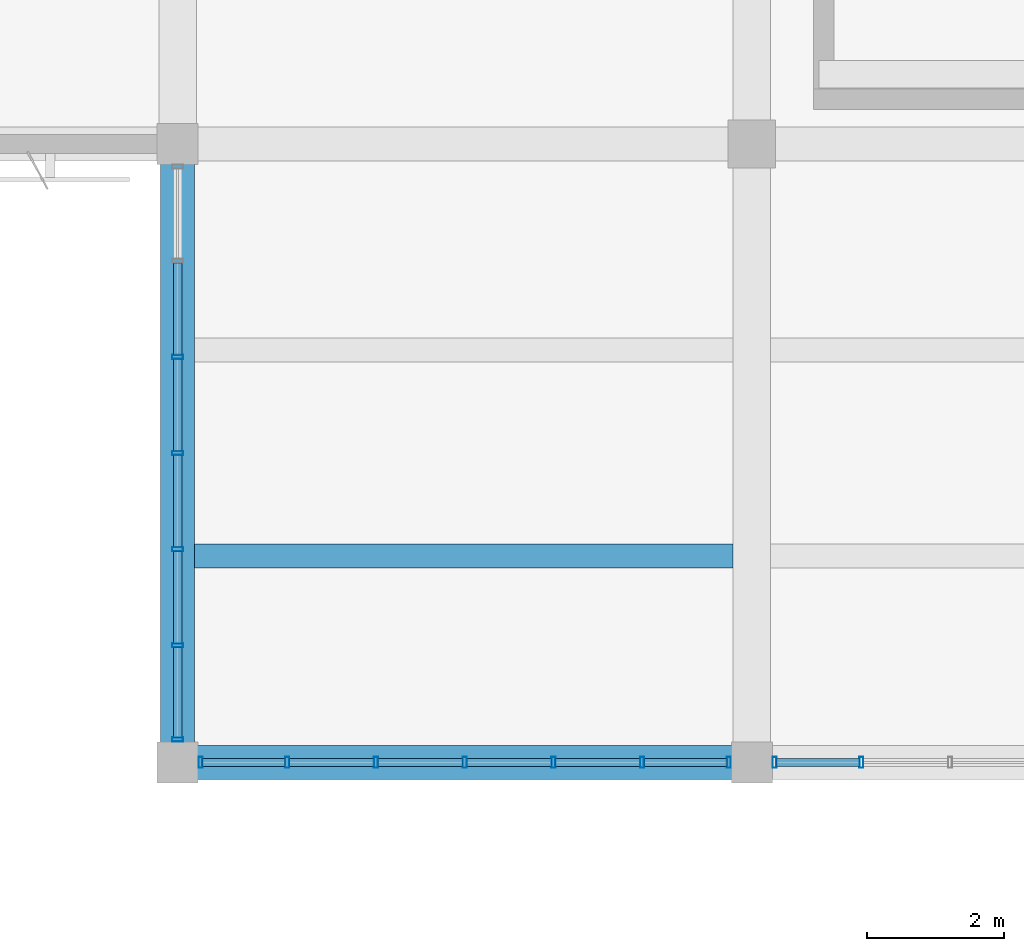
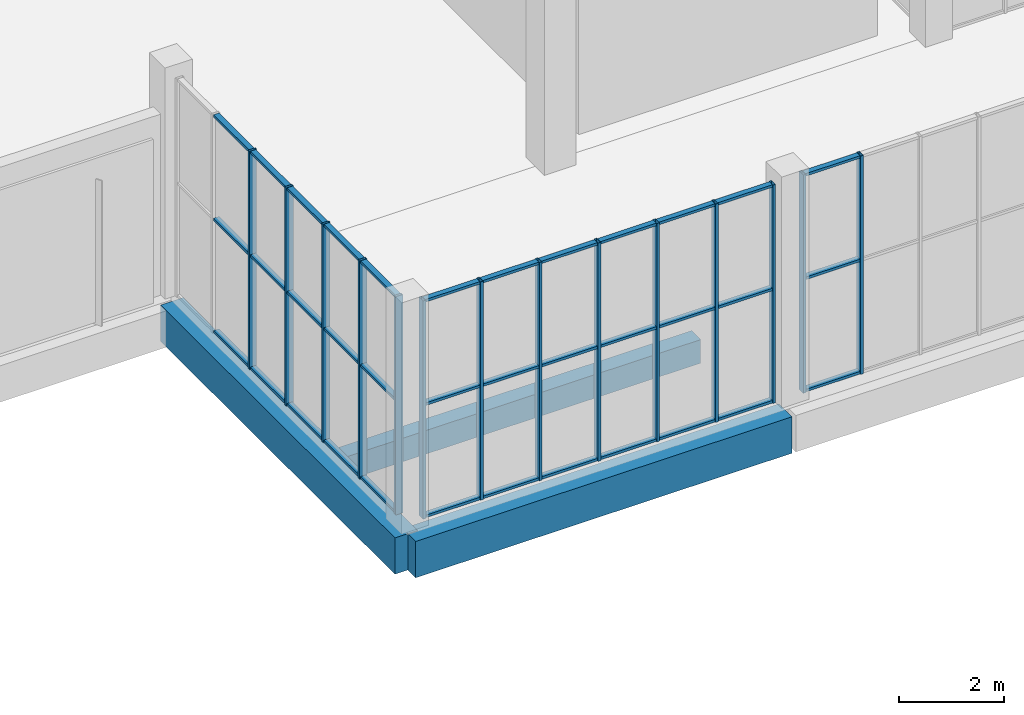
# One storey, part 75 of 132: 50 members, 3 beams, 3 elements without a shape of their own.
"""IFC4 building model written with IfcOpenShell, lengths in metres."""

from ifc_helpers import new_model, si_unit, direction, frame, origin, origin_2d, place, context, subcontext, project, spatial, rectangle, hollow_rectangle, extrude, material, material_profile, profile_set, type_object, element, aggregate, save


model = new_model("IFC4")

# Units and contexts
model_context = context("Model", 3, precision=1e-05, world=origin(), true_north=direction((0.0, 1.0)))
body_context = subcontext(model_context, "Body", "Model", "MODEL_VIEW")
ifc_project = project(units=[si_unit("LENGTHUNIT", "METRE"), si_unit("AREAUNIT", "SQUARE_METRE"), si_unit("VOLUMEUNIT", "CUBIC_METRE"), si_unit("PLANEANGLEUNIT", "RADIAN"), si_unit("MASSUNIT", "GRAM", prefix="KILO")], contexts=[model_context])

# Site, building, storey
site_placement = place(None, origin())
site = spatial("IfcSite", under=ifc_project, at=site_placement, CompositionType="ELEMENT")
building_placement = place(site_placement, origin())
building = spatial("IfcBuilding", under=site, at=building_placement, Name="Khurvash Pelagic Aquarium", CompositionType="ELEMENT")
storey_placement = place(building_placement, frame((0.0, 0.0, 5.39990234375)))
storey = spatial("IfcBuildingStorey", under=building, at=storey_placement, Name="L01", CompositionType="ELEMENT", Elevation=5.39990234375)

# Curtain wall, members
ifc_material_1 = material(Name="Anodised aluminium and low-E laminated glass", Category="aluminium")
curtain_wall_type_1 = type_object("IfcCurtainWallType", Name="CW-06", PredefinedType="USERDEFINED", material=ifc_material_1)
curtain_wall_1_placement = place(storey_placement, origin())
curtain_wall_1 = element("IfcCurtainWall", 1, at=curtain_wall_1_placement, inside=storey, type_object=curtain_wall_type_1, Name="L01 Facade Unitised Curtain Wall CW-06 0140", ObjectType="UNITISED CURTAIN WALL", PredefinedType="USERDEFINED")
ifc_material_2 = material(Name="Extruded aluminium AW-6063-T6", Category="aluminium")
ifc_material_profile_1 = material_profile(ifc_material_2, hollow_rectangle(XDim=0.06005859375, YDim=0.159912109375, WallThickness=0.00390625, at=origin_2d()), Name="CWM60X160X4")
ifc_profile_set_1 = profile_set([ifc_material_profile_1], Name="Extruded aluminium AW-6063-T6")
member_type_1 = type_object("IfcMemberType", Name="CM-02", PredefinedType="MULLION", material=ifc_profile_set_1)
member_1_placement = place(storey_placement, frame((100.800048828125, 80.931640625, 0.0), z_axis=(0.0, 0.0, 1.0), x_axis=(0.0, -1.0, 0.0)))
member_1 = element("IfcMember", 2, at=member_1_placement, type_object=member_type_1, Name="CW-06 mullion 3", PredefinedType="MULLION", context=body_context, shape_type="SweptSolid", body=[
    extrude(hollow_rectangle(XDim=0.06005859375, YDim=0.159912109375, WallThickness=0.00390625, at=origin_2d()), origin(), (0.0, 0.0, 1.0), 5.10009765625),
])
member_2_placement = place(storey_placement, frame((100.800048828125, 79.52490234375, 0.0), z_axis=(0.0, 0.0, 1.0), x_axis=(0.0, -1.0, 0.0)))
member_2 = element("IfcMember", 3, at=member_2_placement, type_object=member_type_1, Name="CW-06 mullion 4", PredefinedType="MULLION", context=body_context, shape_type="SweptSolid", body=[
    extrude(hollow_rectangle(XDim=0.06005859375, YDim=0.159912109375, WallThickness=0.00390625, at=origin_2d()), origin(), (0.0, 0.0, 1.0), 5.10009765625),
])
member_3_placement = place(storey_placement, frame((100.800048828125, 78.118408203125, 0.0), z_axis=(0.0, 0.0, 1.0), x_axis=(0.0, -1.0, 0.0)))
member_3 = element("IfcMember", 4, at=member_3_placement, type_object=member_type_1, Name="CW-06 mullion 5", PredefinedType="MULLION", context=body_context, shape_type="SweptSolid", body=[
    extrude(hollow_rectangle(XDim=0.06005859375, YDim=0.159912109375, WallThickness=0.00390625, at=origin_2d()), origin(), (0.0, 0.0, 1.0), 5.10009765625),
])
member_4_placement = place(storey_placement, frame((100.800048828125, 76.711669921875, 0.0), z_axis=(0.0, 0.0, 1.0), x_axis=(0.0, -1.0, 0.0)))
member_4 = element("IfcMember", 5, at=member_4_placement, type_object=member_type_1, Name="CW-06 mullion 6", PredefinedType="MULLION", context=body_context, shape_type="SweptSolid", body=[
    extrude(hollow_rectangle(XDim=0.06005859375, YDim=0.159912109375, WallThickness=0.00390625, at=origin_2d()), origin(), (0.0, 0.0, 1.0), 5.10009765625),
])
member_5_placement = place(storey_placement, frame((100.800048828125, 75.3349609375, 0.0), z_axis=(0.0, 0.0, 1.0), x_axis=(0.0, -1.0, 0.0)))
member_5 = element("IfcMember", 6, at=member_5_placement, type_object=member_type_1, Name="CW-06 mullion 7", PredefinedType="MULLION", context=body_context, shape_type="SweptSolid", body=[
    extrude(hollow_rectangle(XDim=0.06005859375, YDim=0.159912109375, WallThickness=0.00390625, at=origin_2d()), origin(), (0.0, 0.0, 1.0), 5.10009765625),
])

curtain_wall_type_2 = type_object("IfcCurtainWallType", Name="CW-05", PredefinedType="USERDEFINED", material=ifc_material_1)
curtain_wall_2_placement = place(storey_placement, origin())
curtain_wall_2 = element("IfcCurtainWall", 7, at=curtain_wall_2_placement, inside=storey, type_object=curtain_wall_type_2, Name="L01 Facade Unitised Curtain Wall CW-05 0141", ObjectType="UNITISED CURTAIN WALL", PredefinedType="USERDEFINED")
member_6_placement = place(storey_placement, frame((101.135009765625, 75.0, 0.0), z_axis=(0.0, 0.0, 1.0), x_axis=(1.0, 0.0, 0.0)))
member_6 = element("IfcMember", 8, at=member_6_placement, type_object=member_type_1, Name="CW-05 mullion 1", PredefinedType="MULLION", context=body_context, shape_type="SweptSolid", body=[
    extrude(hollow_rectangle(XDim=0.06005859375, YDim=0.159912109375, WallThickness=0.00390625, at=origin_2d()), origin(), (0.0, 0.0, 1.0), 5.10009765625),
])
member_7_placement = place(storey_placement, frame((102.4033203125, 75.0, 0.0), z_axis=(0.0, 0.0, 1.0), x_axis=(1.0, 0.0, 0.0)))
member_7 = element("IfcMember", 9, at=member_7_placement, type_object=member_type_1, Name="CW-05 mullion 2", PredefinedType="MULLION", context=body_context, shape_type="SweptSolid", body=[
    extrude(hollow_rectangle(XDim=0.06005859375, YDim=0.159912109375, WallThickness=0.00390625, at=origin_2d()), origin(), (0.0, 0.0, 1.0), 5.10009765625),
])
member_8_placement = place(storey_placement, frame((103.70166015625, 75.0, 0.0), z_axis=(0.0, 0.0, 1.0), x_axis=(1.0, 0.0, 0.0)))
member_8 = element("IfcMember", 10, at=member_8_placement, type_object=member_type_1, Name="CW-05 mullion 3", PredefinedType="MULLION", context=body_context, shape_type="SweptSolid", body=[
    extrude(hollow_rectangle(XDim=0.06005859375, YDim=0.159912109375, WallThickness=0.00390625, at=origin_2d()), origin(), (0.0, 0.0, 1.0), 5.10009765625),
])
member_9_placement = place(storey_placement, frame((105.0, 75.0, 0.0), z_axis=(0.0, 0.0, 1.0), x_axis=(1.0, 0.0, 0.0)))
member_9 = element("IfcMember", 11, at=member_9_placement, type_object=member_type_1, Name="CW-05 mullion 4", PredefinedType="MULLION", context=body_context, shape_type="SweptSolid", body=[
    extrude(hollow_rectangle(XDim=0.06005859375, YDim=0.159912109375, WallThickness=0.00390625, at=origin_2d()), origin(), (0.0, 0.0, 1.0), 5.10009765625),
])
member_10_placement = place(storey_placement, frame((106.29833984375, 75.0, 0.0), z_axis=(0.0, 0.0, 1.0), x_axis=(1.0, 0.0, 0.0)))
member_10 = element("IfcMember", 12, at=member_10_placement, type_object=member_type_1, Name="CW-05 mullion 5", PredefinedType="MULLION", context=body_context, shape_type="SweptSolid", body=[
    extrude(hollow_rectangle(XDim=0.06005859375, YDim=0.159912109375, WallThickness=0.00390625, at=origin_2d()), origin(), (0.0, 0.0, 1.0), 5.10009765625),
])
member_11_placement = place(storey_placement, frame((107.5966796875, 75.0, 0.0), z_axis=(0.0, 0.0, 1.0), x_axis=(1.0, 0.0, 0.0)))
member_11 = element("IfcMember", 13, at=member_11_placement, type_object=member_type_1, Name="CW-05 mullion 6", PredefinedType="MULLION", context=body_context, shape_type="SweptSolid", body=[
    extrude(hollow_rectangle(XDim=0.06005859375, YDim=0.159912109375, WallThickness=0.00390625, at=origin_2d()), origin(), (0.0, 0.0, 1.0), 5.10009765625),
])
member_12_placement = place(storey_placement, frame((108.864990234375, 75.0, 0.0), z_axis=(0.0, 0.0, 1.0), x_axis=(1.0, 0.0, 0.0)))
member_12 = element("IfcMember", 14, at=member_12_placement, type_object=member_type_1, Name="CW-05 mullion 7", PredefinedType="MULLION", context=body_context, shape_type="SweptSolid", body=[
    extrude(hollow_rectangle(XDim=0.06005859375, YDim=0.159912109375, WallThickness=0.00390625, at=origin_2d()), origin(), (0.0, 0.0, 1.0), 5.10009765625),
])

curtain_wall_3_placement = place(storey_placement, origin())
curtain_wall_3 = element("IfcCurtainWall", 15, at=curtain_wall_3_placement, inside=storey, type_object=curtain_wall_type_2, Name="L01 Facade Unitised Curtain Wall CW-05 0142", ObjectType="UNITISED CURTAIN WALL", PredefinedType="USERDEFINED")
member_13_placement = place(storey_placement, frame((109.534912109375, 75.0, 0.0), z_axis=(0.0, 0.0, 1.0), x_axis=(1.0, 0.0, 0.0)))
member_13 = element("IfcMember", 16, at=member_13_placement, type_object=member_type_1, Name="CW-05 mullion 1", PredefinedType="MULLION", context=body_context, shape_type="SweptSolid", body=[
    extrude(hollow_rectangle(XDim=0.06005859375, YDim=0.159912109375, WallThickness=0.00390625, at=origin_2d()), origin(), (0.0, 0.0, 1.0), 5.10009765625),
])
member_14_placement = place(storey_placement, frame((110.80322265625, 75.0, 0.0), z_axis=(0.0, 0.0, 1.0), x_axis=(1.0, 0.0, 0.0)))
member_14 = element("IfcMember", 17, at=member_14_placement, type_object=member_type_1, Name="CW-05 mullion 2", PredefinedType="MULLION", context=body_context, shape_type="SweptSolid", body=[
    extrude(hollow_rectangle(XDim=0.06005859375, YDim=0.159912109375, WallThickness=0.00390625, at=origin_2d()), origin(), (0.0, 0.0, 1.0), 5.10009765625),
])

# Member
ifc_material_profile_2 = material_profile(ifc_material_2, hollow_rectangle(XDim=0.1201171875, YDim=0.06005859375, WallThickness=0.00390625, at=origin_2d()), Name="CWT120X60X4")
ifc_profile_set_2 = profile_set([ifc_material_profile_2], Name="Extruded aluminium AW-6063-T6")
member_type_2 = type_object("IfcMemberType", Name="CT-02", PredefinedType="USERDEFINED", material=ifc_profile_set_2)
member_15_placement = place(storey_placement, frame((100.800048828125, 82.308349609375, 0.030029296875), z_axis=(0.0, -1.0, 0.0), x_axis=(1.0, 0.0, 0.0)))
member_15 = element("IfcMember", 18, at=member_15_placement, type_object=member_type_2, Name="CW-06 transom 2.1", ObjectType="TRANSOM", PredefinedType="USERDEFINED", context=body_context, shape_type="SweptSolid", body=[
    extrude(hollow_rectangle(XDim=0.1201171875, YDim=0.06005859375, WallThickness=0.00390625, at=origin_2d()), origin(), (0.0, 0.0, 1.0), 1.3466796875),
])

member_16_placement = place(storey_placement, frame((100.800048828125, 82.308349609375, 2.652099609375), z_axis=(0.0, -1.0, 0.0), x_axis=(1.0, 0.0, 0.0)))
member_16 = element("IfcMember", 19, at=member_16_placement, type_object=member_type_2, Name="CW-06 transom 2.2", ObjectType="TRANSOM", PredefinedType="USERDEFINED", context=body_context, shape_type="SweptSolid", body=[
    extrude(hollow_rectangle(XDim=0.1201171875, YDim=0.06005859375, WallThickness=0.00390625, at=origin_2d()), origin(), (0.0, 0.0, 1.0), 1.3466796875),
])

member_17_placement = place(storey_placement, frame((100.800048828125, 82.308349609375, 5.070068359375), z_axis=(0.0, -1.0, 0.0), x_axis=(1.0, 0.0, 0.0)))
member_17 = element("IfcMember", 20, at=member_17_placement, type_object=member_type_2, Name="CW-06 transom 2.3", ObjectType="TRANSOM", PredefinedType="USERDEFINED", context=body_context, shape_type="SweptSolid", body=[
    extrude(hollow_rectangle(XDim=0.1201171875, YDim=0.06005859375, WallThickness=0.00390625, at=origin_2d()), origin(), (0.0, 0.0, 1.0), 1.3466796875),
])

member_18_placement = place(storey_placement, frame((100.800048828125, 80.901611328125, 0.030029296875), z_axis=(0.0, -1.0, 0.0), x_axis=(1.0, 0.0, 0.0)))
member_18 = element("IfcMember", 21, at=member_18_placement, type_object=member_type_2, Name="CW-06 transom 3.1", ObjectType="TRANSOM", PredefinedType="USERDEFINED", context=body_context, shape_type="SweptSolid", body=[
    extrude(hollow_rectangle(XDim=0.1201171875, YDim=0.06005859375, WallThickness=0.00390625, at=origin_2d()), origin(), (0.0, 0.0, 1.0), 1.3466796875),
])

member_19_placement = place(storey_placement, frame((100.800048828125, 80.901611328125, 2.652099609375), z_axis=(0.0, -1.0, 0.0), x_axis=(1.0, 0.0, 0.0)))
member_19 = element("IfcMember", 22, at=member_19_placement, type_object=member_type_2, Name="CW-06 transom 3.2", ObjectType="TRANSOM", PredefinedType="USERDEFINED", context=body_context, shape_type="SweptSolid", body=[
    extrude(hollow_rectangle(XDim=0.1201171875, YDim=0.06005859375, WallThickness=0.00390625, at=origin_2d()), origin(), (0.0, 0.0, 1.0), 1.3466796875),
])

member_20_placement = place(storey_placement, frame((100.800048828125, 80.901611328125, 5.070068359375), z_axis=(0.0, -1.0, 0.0), x_axis=(1.0, 0.0, 0.0)))
member_20 = element("IfcMember", 23, at=member_20_placement, type_object=member_type_2, Name="CW-06 transom 3.3", ObjectType="TRANSOM", PredefinedType="USERDEFINED", context=body_context, shape_type="SweptSolid", body=[
    extrude(hollow_rectangle(XDim=0.1201171875, YDim=0.06005859375, WallThickness=0.00390625, at=origin_2d()), origin(), (0.0, 0.0, 1.0), 1.3466796875),
])

member_21_placement = place(storey_placement, frame((100.800048828125, 79.4951171875, 0.030029296875), z_axis=(0.0, -1.0, 0.0), x_axis=(1.0, 0.0, 0.0)))
member_21 = element("IfcMember", 24, at=member_21_placement, type_object=member_type_2, Name="CW-06 transom 4.1", ObjectType="TRANSOM", PredefinedType="USERDEFINED", context=body_context, shape_type="SweptSolid", body=[
    extrude(hollow_rectangle(XDim=0.1201171875, YDim=0.06005859375, WallThickness=0.00390625, at=origin_2d()), origin(), (0.0, 0.0, 1.0), 1.3466796875),
])

member_22_placement = place(storey_placement, frame((100.800048828125, 79.4951171875, 2.652099609375), z_axis=(0.0, -1.0, 0.0), x_axis=(1.0, 0.0, 0.0)))
member_22 = element("IfcMember", 25, at=member_22_placement, type_object=member_type_2, Name="CW-06 transom 4.2", ObjectType="TRANSOM", PredefinedType="USERDEFINED", context=body_context, shape_type="SweptSolid", body=[
    extrude(hollow_rectangle(XDim=0.1201171875, YDim=0.06005859375, WallThickness=0.00390625, at=origin_2d()), origin(), (0.0, 0.0, 1.0), 1.3466796875),
])

member_23_placement = place(storey_placement, frame((100.800048828125, 79.4951171875, 5.070068359375), z_axis=(0.0, -1.0, 0.0), x_axis=(1.0, 0.0, 0.0)))
member_23 = element("IfcMember", 26, at=member_23_placement, type_object=member_type_2, Name="CW-06 transom 4.3", ObjectType="TRANSOM", PredefinedType="USERDEFINED", context=body_context, shape_type="SweptSolid", body=[
    extrude(hollow_rectangle(XDim=0.1201171875, YDim=0.06005859375, WallThickness=0.00390625, at=origin_2d()), origin(), (0.0, 0.0, 1.0), 1.3466796875),
])

member_24_placement = place(storey_placement, frame((100.800048828125, 78.08837890625, 0.030029296875), z_axis=(0.0, -1.0, 0.0), x_axis=(1.0, 0.0, 0.0)))
member_24 = element("IfcMember", 27, at=member_24_placement, type_object=member_type_2, Name="CW-06 transom 5.1", ObjectType="TRANSOM", PredefinedType="USERDEFINED", context=body_context, shape_type="SweptSolid", body=[
    extrude(hollow_rectangle(XDim=0.1201171875, YDim=0.06005859375, WallThickness=0.00390625, at=origin_2d()), origin(), (0.0, 0.0, 1.0), 1.3466796875),
])

member_25_placement = place(storey_placement, frame((100.800048828125, 78.08837890625, 2.652099609375), z_axis=(0.0, -1.0, 0.0), x_axis=(1.0, 0.0, 0.0)))
member_25 = element("IfcMember", 28, at=member_25_placement, type_object=member_type_2, Name="CW-06 transom 5.2", ObjectType="TRANSOM", PredefinedType="USERDEFINED", context=body_context, shape_type="SweptSolid", body=[
    extrude(hollow_rectangle(XDim=0.1201171875, YDim=0.06005859375, WallThickness=0.00390625, at=origin_2d()), origin(), (0.0, 0.0, 1.0), 1.3466796875),
])

member_26_placement = place(storey_placement, frame((100.800048828125, 78.08837890625, 5.070068359375), z_axis=(0.0, -1.0, 0.0), x_axis=(1.0, 0.0, 0.0)))
member_26 = element("IfcMember", 29, at=member_26_placement, type_object=member_type_2, Name="CW-06 transom 5.3", ObjectType="TRANSOM", PredefinedType="USERDEFINED", context=body_context, shape_type="SweptSolid", body=[
    extrude(hollow_rectangle(XDim=0.1201171875, YDim=0.06005859375, WallThickness=0.00390625, at=origin_2d()), origin(), (0.0, 0.0, 1.0), 1.3466796875),
])

member_27_placement = place(storey_placement, frame((100.800048828125, 76.681640625, 0.030029296875), z_axis=(0.0, -1.0, 0.0), x_axis=(1.0, 0.0, 0.0)))
member_27 = element("IfcMember", 30, at=member_27_placement, type_object=member_type_2, Name="CW-06 transom 6.1", ObjectType="TRANSOM", PredefinedType="USERDEFINED", context=body_context, shape_type="SweptSolid", body=[
    extrude(hollow_rectangle(XDim=0.1201171875, YDim=0.06005859375, WallThickness=0.00390625, at=origin_2d()), origin(), (0.0, 0.0, 1.0), 1.316650390625),
])

member_28_placement = place(storey_placement, frame((100.800048828125, 76.681640625, 2.652099609375), z_axis=(0.0, -1.0, 0.0), x_axis=(1.0, 0.0, 0.0)))
member_28 = element("IfcMember", 31, at=member_28_placement, type_object=member_type_2, Name="CW-06 transom 6.2", ObjectType="TRANSOM", PredefinedType="USERDEFINED", context=body_context, shape_type="SweptSolid", body=[
    extrude(hollow_rectangle(XDim=0.1201171875, YDim=0.06005859375, WallThickness=0.00390625, at=origin_2d()), origin(), (0.0, 0.0, 1.0), 1.316650390625),
])

member_29_placement = place(storey_placement, frame((100.800048828125, 76.681640625, 5.070068359375), z_axis=(0.0, -1.0, 0.0), x_axis=(1.0, 0.0, 0.0)))
member_29 = element("IfcMember", 32, at=member_29_placement, type_object=member_type_2, Name="CW-06 transom 6.3", ObjectType="TRANSOM", PredefinedType="USERDEFINED", context=body_context, shape_type="SweptSolid", body=[
    extrude(hollow_rectangle(XDim=0.1201171875, YDim=0.06005859375, WallThickness=0.00390625, at=origin_2d()), origin(), (0.0, 0.0, 1.0), 1.316650390625),
])

aggregate(curtain_wall_1, [member_1, member_2, member_3, member_4, member_5, member_15, member_16, member_17, member_18, member_19, member_20, member_21, member_22, member_23, member_24, member_25, member_26, member_27, member_28, member_29])

member_30_placement = place(storey_placement, frame((101.1650390625, 75.0, 0.030029296875), z_axis=(1.0, 0.0, 0.0), x_axis=(0.0, 1.0, 0.0)))
member_30 = element("IfcMember", 33, at=member_30_placement, type_object=member_type_2, Name="CW-05 transom 1.1", ObjectType="TRANSOM", PredefinedType="USERDEFINED", context=body_context, shape_type="SweptSolid", body=[
    extrude(hollow_rectangle(XDim=0.1201171875, YDim=0.06005859375, WallThickness=0.00390625, at=origin_2d()), origin(), (0.0, 0.0, 1.0), 1.208251953125),
])

member_31_placement = place(storey_placement, frame((101.1650390625, 75.0, 2.652099609375), z_axis=(1.0, 0.0, 0.0), x_axis=(0.0, 1.0, 0.0)))
member_31 = element("IfcMember", 34, at=member_31_placement, type_object=member_type_2, Name="CW-05 transom 1.2", ObjectType="TRANSOM", PredefinedType="USERDEFINED", context=body_context, shape_type="SweptSolid", body=[
    extrude(hollow_rectangle(XDim=0.1201171875, YDim=0.06005859375, WallThickness=0.00390625, at=origin_2d()), origin(), (0.0, 0.0, 1.0), 1.208251953125),
])

member_32_placement = place(storey_placement, frame((101.1650390625, 75.0, 5.070068359375), z_axis=(1.0, 0.0, 0.0), x_axis=(0.0, 1.0, 0.0)))
member_32 = element("IfcMember", 35, at=member_32_placement, type_object=member_type_2, Name="CW-05 transom 1.3", ObjectType="TRANSOM", PredefinedType="USERDEFINED", context=body_context, shape_type="SweptSolid", body=[
    extrude(hollow_rectangle(XDim=0.1201171875, YDim=0.06005859375, WallThickness=0.00390625, at=origin_2d()), origin(), (0.0, 0.0, 1.0), 1.208251953125),
])

member_33_placement = place(storey_placement, frame((102.433349609375, 75.0, 0.030029296875), z_axis=(1.0, 0.0, 0.0), x_axis=(0.0, 1.0, 0.0)))
member_33 = element("IfcMember", 36, at=member_33_placement, type_object=member_type_2, Name="CW-05 transom 2.1", ObjectType="TRANSOM", PredefinedType="USERDEFINED", context=body_context, shape_type="SweptSolid", body=[
    extrude(hollow_rectangle(XDim=0.1201171875, YDim=0.06005859375, WallThickness=0.00390625, at=origin_2d()), origin(), (0.0, 0.0, 1.0), 1.23828125),
])

member_34_placement = place(storey_placement, frame((102.433349609375, 75.0, 2.652099609375), z_axis=(1.0, 0.0, 0.0), x_axis=(0.0, 1.0, 0.0)))
member_34 = element("IfcMember", 37, at=member_34_placement, type_object=member_type_2, Name="CW-05 transom 2.2", ObjectType="TRANSOM", PredefinedType="USERDEFINED", context=body_context, shape_type="SweptSolid", body=[
    extrude(hollow_rectangle(XDim=0.1201171875, YDim=0.06005859375, WallThickness=0.00390625, at=origin_2d()), origin(), (0.0, 0.0, 1.0), 1.23828125),
])

member_35_placement = place(storey_placement, frame((102.433349609375, 75.0, 5.070068359375), z_axis=(1.0, 0.0, 0.0), x_axis=(0.0, 1.0, 0.0)))
member_35 = element("IfcMember", 38, at=member_35_placement, type_object=member_type_2, Name="CW-05 transom 2.3", ObjectType="TRANSOM", PredefinedType="USERDEFINED", context=body_context, shape_type="SweptSolid", body=[
    extrude(hollow_rectangle(XDim=0.1201171875, YDim=0.06005859375, WallThickness=0.00390625, at=origin_2d()), origin(), (0.0, 0.0, 1.0), 1.23828125),
])

member_36_placement = place(storey_placement, frame((103.731689453125, 75.0, 0.030029296875), z_axis=(1.0, 0.0, 0.0), x_axis=(0.0, 1.0, 0.0)))
member_36 = element("IfcMember", 39, at=member_36_placement, type_object=member_type_2, Name="CW-05 transom 3.1", ObjectType="TRANSOM", PredefinedType="USERDEFINED", context=body_context, shape_type="SweptSolid", body=[
    extrude(hollow_rectangle(XDim=0.1201171875, YDim=0.06005859375, WallThickness=0.00390625, at=origin_2d()), origin(), (0.0, 0.0, 1.0), 1.23828125),
])

member_37_placement = place(storey_placement, frame((103.731689453125, 75.0, 2.652099609375), z_axis=(1.0, 0.0, 0.0), x_axis=(0.0, 1.0, 0.0)))
member_37 = element("IfcMember", 40, at=member_37_placement, type_object=member_type_2, Name="CW-05 transom 3.2", ObjectType="TRANSOM", PredefinedType="USERDEFINED", context=body_context, shape_type="SweptSolid", body=[
    extrude(hollow_rectangle(XDim=0.1201171875, YDim=0.06005859375, WallThickness=0.00390625, at=origin_2d()), origin(), (0.0, 0.0, 1.0), 1.23828125),
])

member_38_placement = place(storey_placement, frame((103.731689453125, 75.0, 5.070068359375), z_axis=(1.0, 0.0, 0.0), x_axis=(0.0, 1.0, 0.0)))
member_38 = element("IfcMember", 41, at=member_38_placement, type_object=member_type_2, Name="CW-05 transom 3.3", ObjectType="TRANSOM", PredefinedType="USERDEFINED", context=body_context, shape_type="SweptSolid", body=[
    extrude(hollow_rectangle(XDim=0.1201171875, YDim=0.06005859375, WallThickness=0.00390625, at=origin_2d()), origin(), (0.0, 0.0, 1.0), 1.23828125),
])

member_39_placement = place(storey_placement, frame((105.030029296875, 75.0, 0.030029296875), z_axis=(1.0, 0.0, 0.0), x_axis=(0.0, 1.0, 0.0)))
member_39 = element("IfcMember", 42, at=member_39_placement, type_object=member_type_2, Name="CW-05 transom 4.1", ObjectType="TRANSOM", PredefinedType="USERDEFINED", context=body_context, shape_type="SweptSolid", body=[
    extrude(hollow_rectangle(XDim=0.1201171875, YDim=0.06005859375, WallThickness=0.00390625, at=origin_2d()), origin(), (0.0, 0.0, 1.0), 1.23828125),
])

member_40_placement = place(storey_placement, frame((105.030029296875, 75.0, 2.652099609375), z_axis=(1.0, 0.0, 0.0), x_axis=(0.0, 1.0, 0.0)))
member_40 = element("IfcMember", 43, at=member_40_placement, type_object=member_type_2, Name="CW-05 transom 4.2", ObjectType="TRANSOM", PredefinedType="USERDEFINED", context=body_context, shape_type="SweptSolid", body=[
    extrude(hollow_rectangle(XDim=0.1201171875, YDim=0.06005859375, WallThickness=0.00390625, at=origin_2d()), origin(), (0.0, 0.0, 1.0), 1.23828125),
])

member_41_placement = place(storey_placement, frame((105.030029296875, 75.0, 5.070068359375), z_axis=(1.0, 0.0, 0.0), x_axis=(0.0, 1.0, 0.0)))
member_41 = element("IfcMember", 44, at=member_41_placement, type_object=member_type_2, Name="CW-05 transom 4.3", ObjectType="TRANSOM", PredefinedType="USERDEFINED", context=body_context, shape_type="SweptSolid", body=[
    extrude(hollow_rectangle(XDim=0.1201171875, YDim=0.06005859375, WallThickness=0.00390625, at=origin_2d()), origin(), (0.0, 0.0, 1.0), 1.23828125),
])

member_42_placement = place(storey_placement, frame((106.328369140625, 75.0, 0.030029296875), z_axis=(1.0, 0.0, 0.0), x_axis=(0.0, 1.0, 0.0)))
member_42 = element("IfcMember", 45, at=member_42_placement, type_object=member_type_2, Name="CW-05 transom 5.1", ObjectType="TRANSOM", PredefinedType="USERDEFINED", context=body_context, shape_type="SweptSolid", body=[
    extrude(hollow_rectangle(XDim=0.1201171875, YDim=0.06005859375, WallThickness=0.00390625, at=origin_2d()), origin(), (0.0, 0.0, 1.0), 1.23828125),
])

member_43_placement = place(storey_placement, frame((106.328369140625, 75.0, 2.652099609375), z_axis=(1.0, 0.0, 0.0), x_axis=(0.0, 1.0, 0.0)))
member_43 = element("IfcMember", 46, at=member_43_placement, type_object=member_type_2, Name="CW-05 transom 5.2", ObjectType="TRANSOM", PredefinedType="USERDEFINED", context=body_context, shape_type="SweptSolid", body=[
    extrude(hollow_rectangle(XDim=0.1201171875, YDim=0.06005859375, WallThickness=0.00390625, at=origin_2d()), origin(), (0.0, 0.0, 1.0), 1.23828125),
])

member_44_placement = place(storey_placement, frame((106.328369140625, 75.0, 5.070068359375), z_axis=(1.0, 0.0, 0.0), x_axis=(0.0, 1.0, 0.0)))
member_44 = element("IfcMember", 47, at=member_44_placement, type_object=member_type_2, Name="CW-05 transom 5.3", ObjectType="TRANSOM", PredefinedType="USERDEFINED", context=body_context, shape_type="SweptSolid", body=[
    extrude(hollow_rectangle(XDim=0.1201171875, YDim=0.06005859375, WallThickness=0.00390625, at=origin_2d()), origin(), (0.0, 0.0, 1.0), 1.23828125),
])

member_45_placement = place(storey_placement, frame((107.626708984375, 75.0, 0.030029296875), z_axis=(1.0, 0.0, 0.0), x_axis=(0.0, 1.0, 0.0)))
member_45 = element("IfcMember", 48, at=member_45_placement, type_object=member_type_2, Name="CW-05 transom 6.1", ObjectType="TRANSOM", PredefinedType="USERDEFINED", context=body_context, shape_type="SweptSolid", body=[
    extrude(hollow_rectangle(XDim=0.1201171875, YDim=0.06005859375, WallThickness=0.00390625, at=origin_2d()), origin(), (0.0, 0.0, 1.0), 1.208251953125),
])

member_46_placement = place(storey_placement, frame((107.626708984375, 75.0, 2.652099609375), z_axis=(1.0, 0.0, 0.0), x_axis=(0.0, 1.0, 0.0)))
member_46 = element("IfcMember", 49, at=member_46_placement, type_object=member_type_2, Name="CW-05 transom 6.2", ObjectType="TRANSOM", PredefinedType="USERDEFINED", context=body_context, shape_type="SweptSolid", body=[
    extrude(hollow_rectangle(XDim=0.1201171875, YDim=0.06005859375, WallThickness=0.00390625, at=origin_2d()), origin(), (0.0, 0.0, 1.0), 1.208251953125),
])

member_47_placement = place(storey_placement, frame((107.626708984375, 75.0, 5.070068359375), z_axis=(1.0, 0.0, 0.0), x_axis=(0.0, 1.0, 0.0)))
member_47 = element("IfcMember", 50, at=member_47_placement, type_object=member_type_2, Name="CW-05 transom 6.3", ObjectType="TRANSOM", PredefinedType="USERDEFINED", context=body_context, shape_type="SweptSolid", body=[
    extrude(hollow_rectangle(XDim=0.1201171875, YDim=0.06005859375, WallThickness=0.00390625, at=origin_2d()), origin(), (0.0, 0.0, 1.0), 1.208251953125),
])

aggregate(curtain_wall_2, [member_6, member_7, member_8, member_9, member_10, member_11, member_12, member_30, member_31, member_32, member_33, member_34, member_35, member_36, member_37, member_38, member_39, member_40, member_41, member_42, member_43, member_44, member_45, member_46, member_47])

member_48_placement = place(storey_placement, frame((109.56494140625, 75.0, 0.030029296875), z_axis=(1.0, 0.0, 0.0), x_axis=(0.0, 1.0, 0.0)))
member_48 = element("IfcMember", 51, at=member_48_placement, type_object=member_type_2, Name="CW-05 transom 1.1", ObjectType="TRANSOM", PredefinedType="USERDEFINED", context=body_context, shape_type="SweptSolid", body=[
    extrude(hollow_rectangle(XDim=0.1201171875, YDim=0.06005859375, WallThickness=0.00390625, at=origin_2d()), origin(), (0.0, 0.0, 1.0), 1.20849609375),
])

member_49_placement = place(storey_placement, frame((109.56494140625, 75.0, 2.652099609375), z_axis=(1.0, 0.0, 0.0), x_axis=(0.0, 1.0, 0.0)))
member_49 = element("IfcMember", 52, at=member_49_placement, type_object=member_type_2, Name="CW-05 transom 1.2", ObjectType="TRANSOM", PredefinedType="USERDEFINED", context=body_context, shape_type="SweptSolid", body=[
    extrude(hollow_rectangle(XDim=0.1201171875, YDim=0.06005859375, WallThickness=0.00390625, at=origin_2d()), origin(), (0.0, 0.0, 1.0), 1.20849609375),
])

member_50_placement = place(storey_placement, frame((109.56494140625, 75.0, 5.070068359375), z_axis=(1.0, 0.0, 0.0), x_axis=(0.0, 1.0, 0.0)))
member_50 = element("IfcMember", 53, at=member_50_placement, type_object=member_type_2, Name="CW-05 transom 1.3", ObjectType="TRANSOM", PredefinedType="USERDEFINED", context=body_context, shape_type="SweptSolid", body=[
    extrude(hollow_rectangle(XDim=0.1201171875, YDim=0.06005859375, WallThickness=0.00390625, at=origin_2d()), origin(), (0.0, 0.0, 1.0), 1.20849609375),
])

aggregate(curtain_wall_3, [member_13, member_14, member_48, member_49, member_50])

# Beams
ifc_material_3 = material(Name="Concrete C35/45", Category="concrete")
ifc_material_profile_3 = material_profile(ifc_material_3, rectangle(XDim=0.35009765625, YDim=0.550048828125, at=origin_2d()), Name="RC350X550")
ifc_profile_set_3 = profile_set([ifc_material_profile_3], Name="Concrete C35/45")
beam_type_1 = type_object("IfcBeamType", Name="JS-01", PredefinedType="JOIST", material=ifc_profile_set_3)
beam_1_placement = place(storey_placement, frame((101.050048828125, 78.01708984375, -0.5849609375), z_axis=(1.0, 0.0, 0.0), x_axis=(0.0, 1.0, 0.0)))
element("IfcBeam", 54, at=beam_1_placement, inside=storey, type_object=beam_type_1, Name="L01 Floor Joist JS-01 00546", PredefinedType="JOIST", context=body_context, shape_type="SweptSolid", body=[
    extrude(rectangle(XDim=0.35009765625, YDim=0.550048828125, at=origin_2d()), origin(), (0.0, 0.0, 1.0), 7.875),
])
ifc_material_4 = material(Name="Concrete C40/50", Category="concrete")
ifc_material_profile_4 = material_profile(ifc_material_4, rectangle(XDim=0.5, YDim=0.85009765625, at=origin_2d()), Name="RC500X850")
ifc_profile_set_4 = profile_set([ifc_material_profile_4], Name="Concrete C40/50")
beam_type_2 = type_object("IfcBeamType", Name="SEB-03", PredefinedType="SPANDREL", material=ifc_profile_set_4)
beam_2_placement = place(storey_placement, frame((100.840087890625, 75.0, -0.744873046875), z_axis=(1.0, 0.0, 0.0), x_axis=(0.0, 1.0, 0.0)))
element("IfcBeam", 55, at=beam_2_placement, inside=storey, type_object=beam_type_2, Name="L01 Primary Girder SEB-03 00303", PredefinedType="SPANDREL", context=body_context, shape_type="SweptSolid", body=[
    extrude(rectangle(XDim=0.5, YDim=0.85009765625, at=origin_2d()), origin(), (0.0, 0.0, 1.0), 8.31982421875),
])
beam_3_placement = place(storey_placement, frame((100.800048828125, 75.0400390625, -0.73486328125), z_axis=(0.0, 1.0, 0.0), x_axis=(-1.0, 0.0, 0.0)))
element("IfcBeam", 56, at=beam_3_placement, inside=storey, type_object=beam_type_2, Name="L01 Primary Girder SEB-03 00415", PredefinedType="SPANDREL", context=body_context, shape_type="SweptSolid", body=[
    extrude(rectangle(XDim=0.5, YDim=0.85009765625, at=origin_2d()), origin(), (0.0, 0.0, 1.0), 8.969970703125),
])

save(model, "model.ifc")
